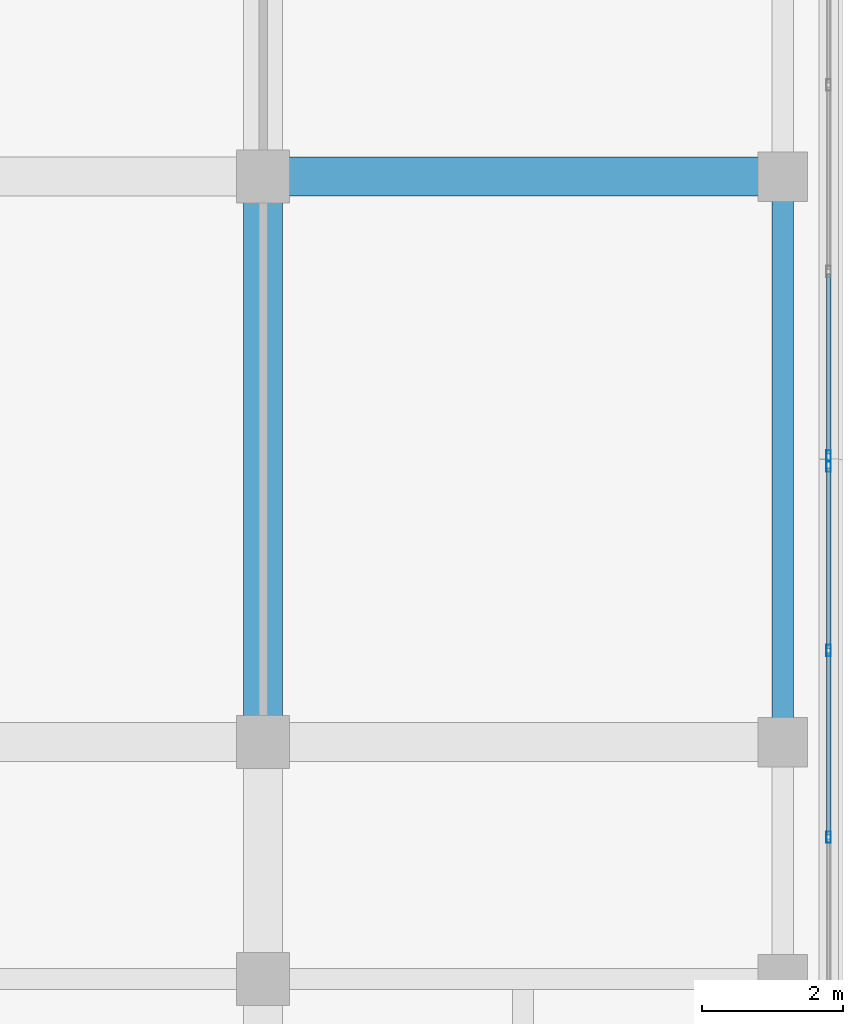
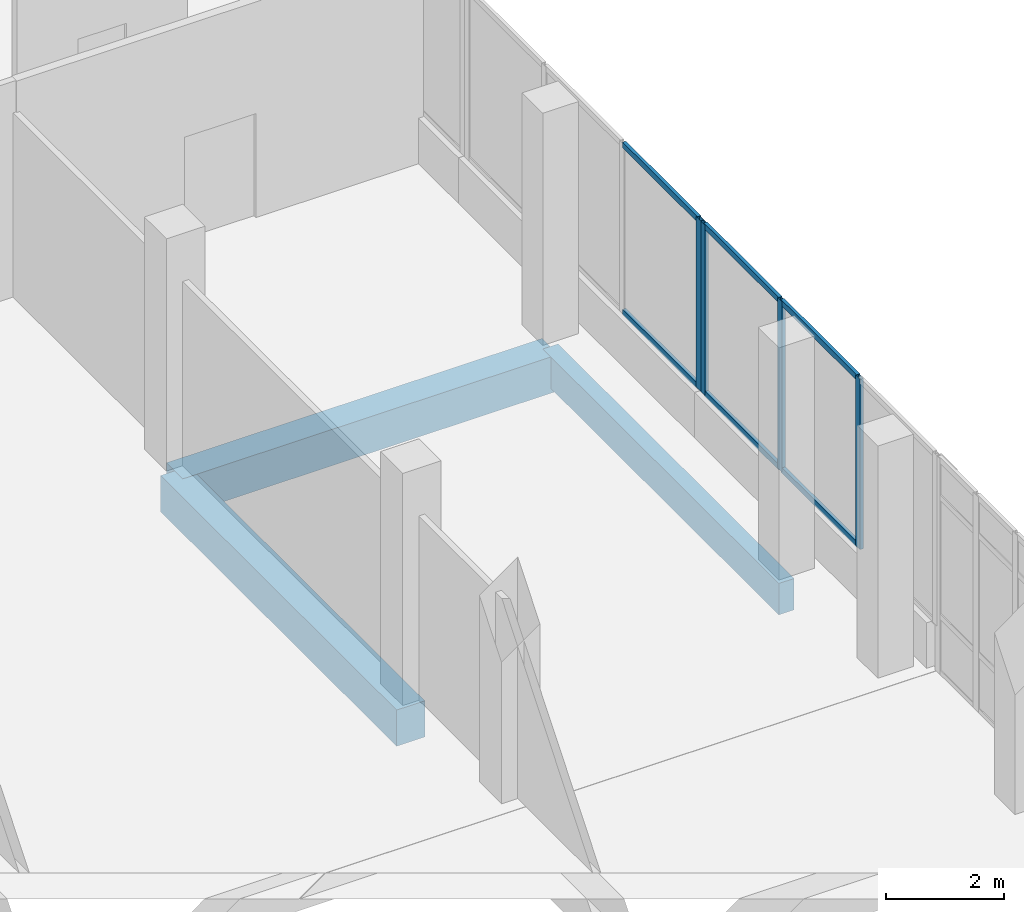
# One storey, part 105 of 155: 10 members, 3 beams, 2 elements without a shape of their own.
"""IFC4 building model written with IfcOpenShell, lengths in metres."""

from ifc_helpers import new_model, si_unit, direction, frame, origin, origin_2d, place, context, subcontext, project, spatial, rectangle, hollow_rectangle, extrude, material, material_profile, profile_set, type_object, element, aggregate, save


model = new_model("IFC4")

# Units and contexts
model_context = context("Model", 3, precision=1e-05, world=origin(), true_north=direction((0.0, 1.0)))
body_context = subcontext(model_context, "Body", "Model", "MODEL_VIEW")
ifc_project = project(units=[si_unit("LENGTHUNIT", "METRE"), si_unit("AREAUNIT", "SQUARE_METRE"), si_unit("VOLUMEUNIT", "CUBIC_METRE"), si_unit("PLANEANGLEUNIT", "RADIAN"), si_unit("MASSUNIT", "GRAM", prefix="KILO")], contexts=[model_context])

# Site, building, storey
site_placement = place(None, origin())
site = spatial("IfcSite", under=ifc_project, at=site_placement, CompositionType="ELEMENT")
building_placement = place(site_placement, origin())
building = spatial("IfcBuilding", under=site, at=building_placement, Name="Selatvlak General Hospital", CompositionType="ELEMENT")
storey_placement = place(building_placement, frame((0.0, 0.0, 10.199951171875)))
storey = spatial("IfcBuildingStorey", under=building, at=storey_placement, Name="L02", CompositionType="ELEMENT", Elevation=10.199951171875)

# Beams
ifc_material_1 = material(Name="Concrete C40/50", Category="concrete")
ifc_material_profile_1 = material_profile(ifc_material_1, rectangle(XDim=0.550048828125, YDim=0.75, at=origin_2d()), Name="RC-BM 550x750")
ifc_profile_set_1 = profile_set([ifc_material_profile_1], Name="Concrete C40/50")
beam_type_1 = type_object("IfcBeamType", Name="BM-G02", PredefinedType="BEAM", material=ifc_profile_set_1)
beam_1_placement = place(storey_placement, frame((174.0, 100.0, -0.72998046875), z_axis=(1.0, 0.0, 0.0), x_axis=(0.0, 1.0, 0.0)))
element("IfcBeam", 1, at=beam_1_placement, inside=storey, type_object=beam_type_1, Name="Beam BMR-L02-0875", PredefinedType="BEAM", context=body_context, shape_type="SweptSolid", body=[
    extrude(rectangle(XDim=0.550048828125, YDim=0.75, at=origin_2d()), origin(), (0.0, 0.0, 1.0), 7.35009765625),
])
beam_2_placement = place(storey_placement, frame((174.0, 92.0, -0.72998046875), z_axis=(0.0, 1.0, 0.0), x_axis=(-1.0, 0.0, 0.0)))
element("IfcBeam", 2, at=beam_2_placement, inside=storey, type_object=beam_type_1, Name="Beam BMR-L02-1067", PredefinedType="BEAM", context=body_context, shape_type="SweptSolid", body=[
    extrude(rectangle(XDim=0.550048828125, YDim=0.75, at=origin_2d()), origin(), (0.0, 0.0, 1.0), 8.0),
])
ifc_material_profile_2 = material_profile(ifc_material_1, rectangle(XDim=0.300048828125, YDim=0.64990234375, at=origin_2d()), Name="RC-SP 300x650")
ifc_profile_set_2 = profile_set([ifc_material_profile_2], Name="Concrete C40/50")
beam_type_2 = type_object("IfcBeamType", Name="BM-SP1", PredefinedType="SPANDREL", material=ifc_profile_set_2)
beam_3_placement = place(storey_placement, frame((181.35009765625, 92.0, -0.679931640625), z_axis=(0.0, 1.0, 0.0), x_axis=(-1.0, 0.0, 0.0)))
element("IfcBeam", 3, at=beam_3_placement, inside=storey, type_object=beam_type_2, Name="Beam BMR-L02-1077", PredefinedType="SPANDREL", context=body_context, shape_type="SweptSolid", body=[
    extrude(rectangle(XDim=0.300048828125, YDim=0.64990234375, at=origin_2d()), origin(), (0.0, 0.0, 1.0), 8.0),
])

# Curtain wall, member
ifc_material_2 = material(Name="Solar-control Low-E double glazing", Category="glass")
curtain_wall_type_1 = type_object("IfcCurtainWallType", Name="CW-CW-02", PredefinedType="USERDEFINED", material=ifc_material_2)
curtain_wall_1_placement = place(storey_placement, origin())
curtain_wall_1 = element("IfcCurtainWall", 4, at=curtain_wall_1_placement, inside=storey, type_object=curtain_wall_type_1, Name="Glazed facade curtain wall CW-L02-0265", ObjectType="UNITISED CURTAIN WALL", PredefinedType="USERDEFINED")
ifc_material_3 = material(Name="Dark anodised aluminium mullion", Category="aluminium")
ifc_material_profile_3 = material_profile(ifc_material_3, hollow_rectangle(XDim=0.06494140625, YDim=0.159912109375, WallThickness=0.00390625, at=origin_2d()), Name="AL-MUL 65x160x4")
ifc_profile_set_3 = profile_set([ifc_material_profile_3], Name="Dark anodised aluminium mullion")
member_type_1 = type_object("IfcMemberType", Name="CWM-01", PredefinedType="MULLION", material=ifc_profile_set_3)
member_1_placement = place(storey_placement, frame((182.0, 96.048583984375, 0.93994140625), z_axis=(0.0, 0.0, 1.0), x_axis=(1.0, 0.0, 0.0)))
member_1 = element("IfcMember", 5, at=member_1_placement, type_object=member_type_1, Name="CW-02 mullion 4", PredefinedType="MULLION", context=body_context, shape_type="SweptSolid", body=[
    extrude(hollow_rectangle(XDim=0.06494140625, YDim=0.159912109375, WallThickness=0.00390625, at=origin_2d()), origin(), (0.0, 0.0, 1.0), 3.52001953125),
])

# Curtain wall, members
curtain_wall_type_2 = type_object("IfcCurtainWallType", Name="CW-CW-01", PredefinedType="USERDEFINED", material=ifc_material_2)
curtain_wall_2_placement = place(storey_placement, origin())
curtain_wall_2 = element("IfcCurtainWall", 6, at=curtain_wall_2_placement, inside=storey, type_object=curtain_wall_type_2, Name="Glazed facade curtain wall CW-L02-0266", ObjectType="UNITISED CURTAIN WALL", PredefinedType="USERDEFINED")
member_2_placement = place(storey_placement, frame((182.0, 95.903564453125, 0.93994140625), z_axis=(0.0, 0.0, 1.0), x_axis=(1.0, 0.0, 0.0)))
member_2 = element("IfcMember", 7, at=member_2_placement, type_object=member_type_1, Name="CW-01 mullion 1", PredefinedType="MULLION", context=body_context, shape_type="SweptSolid", body=[
    extrude(hollow_rectangle(XDim=0.06494140625, YDim=0.159912109375, WallThickness=0.00390625, at=origin_2d()), origin(), (0.0, 0.0, 1.0), 3.52001953125),
])
member_3_placement = place(storey_placement, frame((182.0, 93.2958984375, 0.93994140625), z_axis=(0.0, 0.0, 1.0), x_axis=(1.0, 0.0, 0.0)))
member_3 = element("IfcMember", 8, at=member_3_placement, type_object=member_type_1, Name="CW-01 mullion 2", PredefinedType="MULLION", context=body_context, shape_type="SweptSolid", body=[
    extrude(hollow_rectangle(XDim=0.06494140625, YDim=0.159912109375, WallThickness=0.00390625, at=origin_2d()), origin(), (0.0, 0.0, 1.0), 3.52001953125),
])
member_4_placement = place(storey_placement, frame((182.0, 90.656005859375, 0.93994140625), z_axis=(0.0, 0.0, 1.0), x_axis=(1.0, 0.0, 0.0)))
member_4 = element("IfcMember", 9, at=member_4_placement, type_object=member_type_1, Name="CW-01 mullion 3", PredefinedType="MULLION", context=body_context, shape_type="SweptSolid", body=[
    extrude(hollow_rectangle(XDim=0.06494140625, YDim=0.159912109375, WallThickness=0.00390625, at=origin_2d()), origin(), (0.0, 0.0, 1.0), 3.52001953125),
])

# Member
ifc_material_profile_4 = material_profile(ifc_material_3, hollow_rectangle(XDim=0.06494140625, YDim=0.1201171875, WallThickness=0.00390625, at=origin_2d()), Name="AL-TRN 65x120x4")
ifc_profile_set_4 = profile_set([ifc_material_profile_4], Name="Dark anodised aluminium mullion")
member_type_2 = type_object("IfcMemberType", Name="CWT-01", PredefinedType="USERDEFINED", material=ifc_profile_set_4)
member_5_placement = place(storey_placement, frame((182.0, 98.62353515625, 0.97265625), z_axis=(0.0, -1.0, 0.0), x_axis=(1.0, 0.0, 0.0)))
member_5 = element("IfcMember", 10, at=member_5_placement, type_object=member_type_2, Name="CW-02 transom 3.1", ObjectType="TRANSOM", PredefinedType="USERDEFINED", context=body_context, shape_type="SweptSolid", body=[
    extrude(hollow_rectangle(XDim=0.06494140625, YDim=0.1201171875, WallThickness=0.00390625, at=origin_2d()), origin(), (0.0, 0.0, 1.0), 2.54248046875),
])

member_6_placement = place(storey_placement, frame((182.0, 98.62353515625, 4.427490234375), z_axis=(0.0, -1.0, 0.0), x_axis=(1.0, 0.0, 0.0)))
member_6 = element("IfcMember", 11, at=member_6_placement, type_object=member_type_2, Name="CW-02 transom 3.2", ObjectType="TRANSOM", PredefinedType="USERDEFINED", context=body_context, shape_type="SweptSolid", body=[
    extrude(hollow_rectangle(XDim=0.06494140625, YDim=0.1201171875, WallThickness=0.00390625, at=origin_2d()), origin(), (0.0, 0.0, 1.0), 2.54248046875),
])

aggregate(curtain_wall_1, [member_1, member_5, member_6])

member_7_placement = place(storey_placement, frame((182.0, 95.87109375, 0.97265625), z_axis=(0.0, -1.0, 0.0), x_axis=(1.0, 0.0, 0.0)))
member_7 = element("IfcMember", 12, at=member_7_placement, type_object=member_type_2, Name="CW-01 transom 1.1", ObjectType="TRANSOM", PredefinedType="USERDEFINED", context=body_context, shape_type="SweptSolid", body=[
    extrude(hollow_rectangle(XDim=0.06494140625, YDim=0.1201171875, WallThickness=0.00390625, at=origin_2d()), origin(), (0.0, 0.0, 1.0), 2.54248046875),
])

member_8_placement = place(storey_placement, frame((182.0, 95.87109375, 4.427490234375), z_axis=(0.0, -1.0, 0.0), x_axis=(1.0, 0.0, 0.0)))
member_8 = element("IfcMember", 13, at=member_8_placement, type_object=member_type_2, Name="CW-01 transom 1.2", ObjectType="TRANSOM", PredefinedType="USERDEFINED", context=body_context, shape_type="SweptSolid", body=[
    extrude(hollow_rectangle(XDim=0.06494140625, YDim=0.1201171875, WallThickness=0.00390625, at=origin_2d()), origin(), (0.0, 0.0, 1.0), 2.54248046875),
])

member_9_placement = place(storey_placement, frame((182.0, 93.263427734375, 0.97265625), z_axis=(0.0, -1.0, 0.0), x_axis=(1.0, 0.0, 0.0)))
member_9 = element("IfcMember", 14, at=member_9_placement, type_object=member_type_2, Name="CW-01 transom 2.1", ObjectType="TRANSOM", PredefinedType="USERDEFINED", context=body_context, shape_type="SweptSolid", body=[
    extrude(hollow_rectangle(XDim=0.06494140625, YDim=0.1201171875, WallThickness=0.00390625, at=origin_2d()), origin(), (0.0, 0.0, 1.0), 2.574951171875),
])

member_10_placement = place(storey_placement, frame((182.0, 93.263427734375, 4.427490234375), z_axis=(0.0, -1.0, 0.0), x_axis=(1.0, 0.0, 0.0)))
member_10 = element("IfcMember", 15, at=member_10_placement, type_object=member_type_2, Name="CW-01 transom 2.2", ObjectType="TRANSOM", PredefinedType="USERDEFINED", context=body_context, shape_type="SweptSolid", body=[
    extrude(hollow_rectangle(XDim=0.06494140625, YDim=0.1201171875, WallThickness=0.00390625, at=origin_2d()), origin(), (0.0, 0.0, 1.0), 2.574951171875),
])

aggregate(curtain_wall_2, [member_2, member_3, member_4, member_7, member_8, member_9, member_10])

save(model, "model.ifc")
